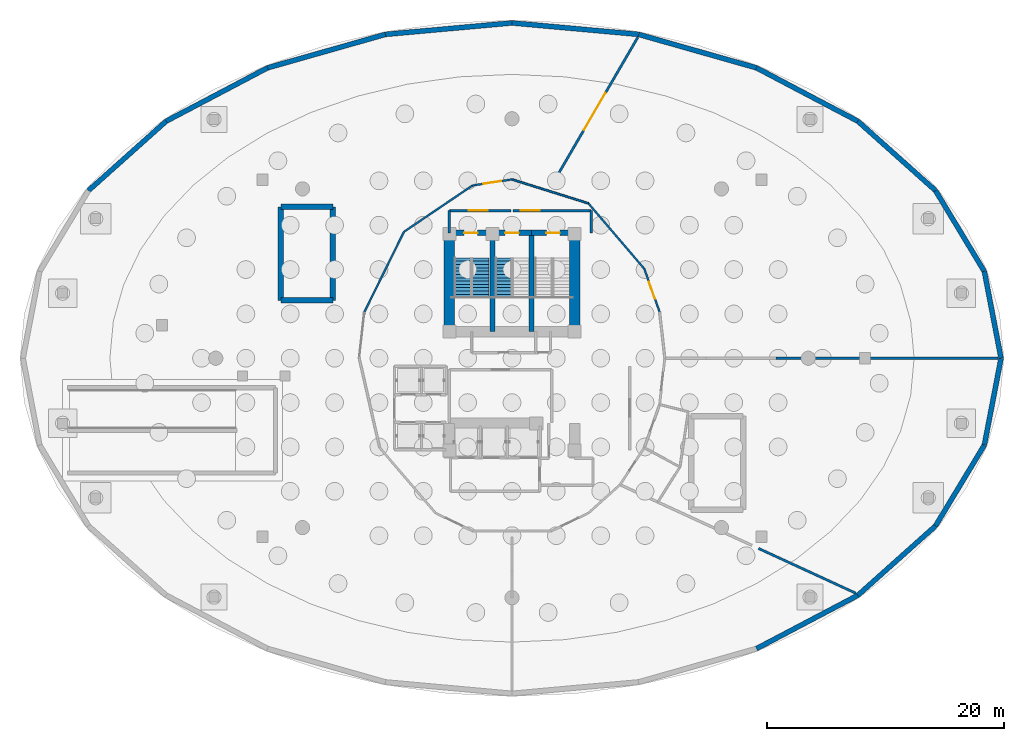
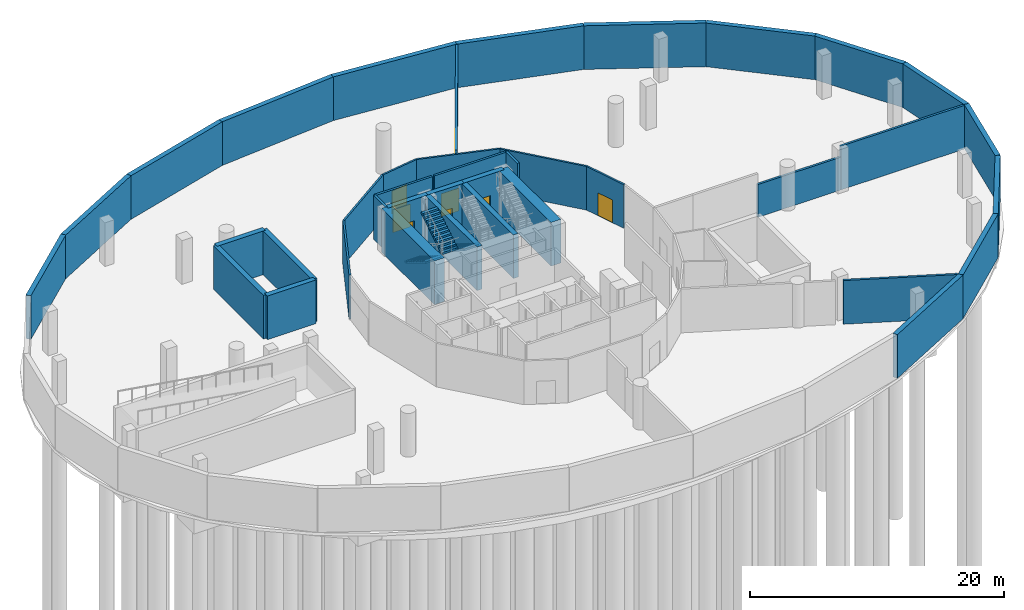
# One storey, part 5 of 9: 39 walls, 8 doors, 3 stair flights, 8 openings, 2 elements without a shape of their own.
"""IFC4 building model written with IfcOpenShell, lengths in metres."""

from ifc_helpers import new_model, si_unit, direction, frame, frame_2d, origin, place, context, subcontext, project, spatial, polyline, rectangle, outline, extrude, material, layer, layer_set, type_object, element, fill, aggregate, save


model = new_model("IFC4")

# Units and contexts
model_context = context("Model", 3, precision=1e-05, world=origin(), true_north=direction((0.0, 1.0)))
body_context = subcontext(model_context, "Body", "Model", "MODEL_VIEW")
ifc_project = project(units=[si_unit("LENGTHUNIT", "METRE"), si_unit("AREAUNIT", "SQUARE_METRE"), si_unit("VOLUMEUNIT", "CUBIC_METRE"), si_unit("PLANEANGLEUNIT", "RADIAN"), si_unit("MASSUNIT", "GRAM", prefix="KILO")], contexts=[model_context])

# Site, building, storey
site_placement = place(None, origin())
site = spatial("IfcSite", under=ifc_project, at=site_placement, CompositionType="ELEMENT")
building_placement = place(site_placement, origin())
building = spatial("IfcBuilding", under=site, at=building_placement, Name="Nuhasar Tower", CompositionType="ELEMENT")
storey_placement = place(building_placement, frame((0.0, 0.0, -9.0)))
storey = spatial("IfcBuildingStorey", under=building, at=storey_placement, Name="B2", CompositionType="ELEMENT", Elevation=-9.0)

# Wall, opening, door
ifc_material_1 = material(Name="Concrete C50/60", Category="concrete")
ifc_layer_1 = layer(ifc_material_1, 0.449951171875)
ifc_layer_set_1 = layer_set([ifc_layer_1], Name="Concrete C50/60")
wall_type_1 = type_object("IfcWallType", Name="WL-CORE-450", PredefinedType="SHEAR", material=ifc_layer_set_1)
wall_1_placement = place(storey_placement, frame((37.35009765625, 37.39990234375, 0.0), z_axis=(0.0, 0.0, 1.0), x_axis=(-1.0, 0.0, 0.0)))
wall_1 = element("IfcWall", 1, at=wall_1_placement, inside=storey, type_object=wall_type_1, Name="B2 Stairwell Shear Wall ST01-N", PredefinedType="SHEAR", context=body_context, shape_type="SweptSolid", body=[
    extrude(rectangle(XDim=3.650146484375, YDim=0.449951171875, at=frame_2d((1.8251953125, 0.0))), origin(), (0.0, 0.0, 1.0), 4.199951171875),
])
opening_1_placement = place(wall_1_placement, frame((1.25, 0.0, 0.0)))
opening_1 = element("IfcOpeningElement", 2, at=opening_1_placement, cuts=wall_1, Name="Opening DS-01", PredefinedType="OPENING", context=body_context, shape_type="SweptSolid", body=[
    extrude(rectangle(XDim=1.14990234375, YDim=2.14990234375, at=frame_2d((0.574951171875, 1.074951171875))), frame((0.0, 0.23486328125, 0.0), z_axis=(0.0, -1.0, 0.0), x_axis=(1.0, 0.0, 0.0)), (0.0, 0.0, 1.0), 0.469970703125),
])
ifc_material_2 = material(Name="Steel S355", Category="steel")
door_type_1 = type_object("IfcDoorType", Name="DR-STAIR-FD120-1150", OperationType="NOTDEFINED", PredefinedType="DOOR", material=ifc_material_2)
door_1_placement = place(opening_1_placement, origin())
door_1 = element("IfcDoor", 3, at=door_1_placement, inside=storey, type_object=door_type_1, Name="B2 Exit Stair ST-01 Door", OperationType="SINGLE_SWING_RIGHT", OverallHeight=2.14990234375, OverallWidth=1.14990234375, PredefinedType="DOOR", context=body_context, shape_type="SweptSolid", body=[
    extrude(rectangle(XDim=1.14990234375, YDim=2.14990234375, at=frame_2d((0.574951171875, 1.074951171875))), frame((0.0, 0.02490234375, 0.0), z_axis=(0.0, -1.0, 0.0), x_axis=(1.0, 0.0, 0.0)), (0.0, 0.0, 1.0), 0.050048828125),
])
fill(opening_1, door_1)

# Wall
wall_2_placement = place(storey_placement, frame((37.35009765625, 29.050048828125, 0.0), z_axis=(0.0, 0.0, 1.0), x_axis=(0.0, 1.0, 0.0)))
element("IfcWall", 4, at=wall_2_placement, inside=storey, type_object=wall_type_1, Name="B2 Stairwell Shear Wall ST01-E", PredefinedType="SHEAR", context=body_context, shape_type="SweptSolid", body=[
    extrude(rectangle(XDim=8.349853515625, YDim=0.449951171875, at=frame_2d((4.1748046875, 0.0))), origin(), (0.0, 0.0, 1.0), 4.199951171875),
])

# Wall, opening, door
wall_3_placement = place(storey_placement, frame((40.64990234375, 37.39990234375, 0.0), z_axis=(0.0, 0.0, 1.0), x_axis=(-1.0, 0.0, 0.0)))
wall_3 = element("IfcWall", 5, at=wall_3_placement, inside=storey, type_object=wall_type_1, Name="B2 Stairwell Shear Wall ST03-N", PredefinedType="SHEAR", context=body_context, shape_type="SweptSolid", body=[
    extrude(rectangle(XDim=3.2998046875, YDim=0.449951171875, at=frame_2d((1.64990234375, 0.0))), origin(), (0.0, 0.0, 1.0), 4.199951171875),
])
opening_2_placement = place(wall_3_placement, frame((1.074951171875, 0.0, 0.0)))
opening_2 = element("IfcOpeningElement", 6, at=opening_2_placement, cuts=wall_3, Name="Opening DS-01", PredefinedType="OPENING", context=body_context, shape_type="SweptSolid", body=[
    extrude(rectangle(XDim=1.14990234375, YDim=2.14990234375, at=frame_2d((0.574951171875, 1.074951171875))), frame((0.0, 0.23486328125, 0.0), z_axis=(0.0, -1.0, 0.0), x_axis=(1.0, 0.0, 0.0)), (0.0, 0.0, 1.0), 0.469970703125),
])
door_2_placement = place(opening_2_placement, origin())
door_2 = element("IfcDoor", 7, at=door_2_placement, inside=storey, type_object=door_type_1, Name="B2 Exit Stair ST-03 Door", OperationType="SINGLE_SWING_RIGHT", OverallHeight=2.14990234375, OverallWidth=1.14990234375, PredefinedType="DOOR", context=body_context, shape_type="SweptSolid", body=[
    extrude(rectangle(XDim=1.14990234375, YDim=2.14990234375, at=frame_2d((0.574951171875, 1.074951171875))), frame((0.0, 0.02490234375, 0.0), z_axis=(0.0, -1.0, 0.0), x_axis=(1.0, 0.0, 0.0)), (0.0, 0.0, 1.0), 0.050048828125),
])
fill(opening_2, door_2)

# Wall
wall_4_placement = place(storey_placement, frame((40.64990234375, 29.050048828125, 0.0), z_axis=(0.0, 0.0, 1.0), x_axis=(0.0, 1.0, 0.0)))
element("IfcWall", 8, at=wall_4_placement, inside=storey, type_object=wall_type_1, Name="B2 Stairwell Shear Wall ST03-E", PredefinedType="SHEAR", context=body_context, shape_type="SweptSolid", body=[
    extrude(rectangle(XDim=8.349853515625, YDim=0.449951171875, at=frame_2d((4.1748046875, 0.0))), origin(), (0.0, 0.0, 1.0), 4.199951171875),
])

# Wall, opening, door
wall_5_placement = place(storey_placement, frame((44.300048828125, 37.39990234375, 0.0), z_axis=(0.0, 0.0, 1.0), x_axis=(-1.0, 0.0, 0.0)))
wall_5 = element("IfcWall", 9, at=wall_5_placement, inside=storey, type_object=wall_type_1, Name="B2 Stairwell Shear Wall ST02-N", PredefinedType="SHEAR", context=body_context, shape_type="SweptSolid", body=[
    extrude(rectangle(XDim=3.650146484375, YDim=0.449951171875, at=frame_2d((1.8251953125, 0.0))), origin(), (0.0, 0.0, 1.0), 4.199951171875),
])
opening_3_placement = place(wall_5_placement, frame((1.25, 0.0, 0.0)))
opening_3 = element("IfcOpeningElement", 10, at=opening_3_placement, cuts=wall_5, Name="Opening DS-01", PredefinedType="OPENING", context=body_context, shape_type="SweptSolid", body=[
    extrude(rectangle(XDim=1.14990234375, YDim=2.14990234375, at=frame_2d((0.574951171875, 1.074951171875))), frame((0.0, 0.23486328125, 0.0), z_axis=(0.0, -1.0, 0.0), x_axis=(1.0, 0.0, 0.0)), (0.0, 0.0, 1.0), 0.469970703125),
])
door_3_placement = place(opening_3_placement, origin())
door_3 = element("IfcDoor", 11, at=door_3_placement, inside=storey, type_object=door_type_1, Name="B2 Exit Stair ST-02 Door", OperationType="SINGLE_SWING_LEFT", OverallHeight=2.14990234375, OverallWidth=1.14990234375, PredefinedType="DOOR", context=body_context, shape_type="SweptSolid", body=[
    extrude(rectangle(XDim=1.14990234375, YDim=2.14990234375, at=frame_2d((0.574951171875, 1.074951171875))), frame((0.0, 0.02490234375, 0.0), z_axis=(0.0, -1.0, 0.0), x_axis=(1.0, 0.0, 0.0)), (0.0, 0.0, 1.0), 0.050048828125),
])
fill(opening_3, door_3)

# Walls
for number, where, z_axis, x_axis, name in (
    (12, (19.449951171875, 31.699951171875, 0.0), (0.0, 0.0, 1.0), (1.0, 0.0, 0.0), "B2 Stairwell Shear Wall ST-04-S"),
    (13, (19.449951171875, 39.60009765625, 0.0), (0.0, 0.0, 1.0), (1.0, 0.0, 0.0), "B2 Stairwell Shear Wall ST-04-N"),
):
    element("IfcWall", number, at=place(storey_placement, frame(where, z_axis=z_axis, x_axis=x_axis)), inside=storey, type_object=wall_type_1, Name=name, PredefinedType="SHEAR", context=body_context, shape_type="SweptSolid", body=[
        extrude(rectangle(XDim=4.400146484375, YDim=0.449951171875, at=frame_2d((2.2001953125, 0.0))), origin(), (0.0, 0.0, 1.0), 4.199951171875),
    ])
for number, where, z_axis, x_axis, name in (
    (14, (19.449951171875, 31.699951171875, 0.0), (0.0, 0.0, 1.0), (0.0, 1.0, 0.0), "B2 Stairwell Shear Wall ST-04-W"),
    (15, (23.85009765625, 31.699951171875, 0.0), (0.0, 0.0, 1.0), (0.0, 1.0, 0.0), "B2 Stairwell Shear Wall ST-04-E"),
):
    element("IfcWall", number, at=place(storey_placement, frame(where, z_axis=z_axis, x_axis=x_axis)), inside=storey, type_object=wall_type_1, Name=name, PredefinedType="SHEAR", context=body_context, shape_type="SweptSolid", body=[
        extrude(rectangle(XDim=7.900146484375, YDim=0.449951171875, at=frame_2d((3.9501953125, 0.0))), origin(), (0.0, 0.0, 1.0), 4.199951171875),
    ])
ifc_material_3 = material(Name="Concrete C80/95", Category="concrete")
ifc_layer_2 = layer(ifc_material_3, 0.89990234375)
ifc_layer_set_2 = layer_set([ifc_layer_2], Name="Concrete C80/95")
wall_type_2 = type_object("IfcWallType", Name="WL-CORE-900", PredefinedType="SHEAR", material=ifc_layer_set_2)
for number, where, z_axis, x_axis, name in (
    (16, (33.699951171875, 29.050048828125, 0.0), (0.0, 0.0, 1.0), (0.0, 1.0, 0.0), "B2 Core Shear Wall CW-NW CW-900"),
    (17, (44.300048828125, 29.050048828125, 0.0), (0.0, 0.0, 1.0), (0.0, 1.0, 0.0), "B2 Core Shear Wall CW-NE CW-900"),
):
    element("IfcWall", number, at=place(storey_placement, frame(where, z_axis=z_axis, x_axis=x_axis)), inside=storey, type_object=wall_type_2, Name=name, PredefinedType="SHEAR", context=body_context, shape_type="SweptSolid", body=[
        extrude(rectangle(XDim=8.349853515625, YDim=0.89990234375, at=frame_2d((4.1748046875, 0.0))), origin(), (0.0, 0.0, 1.0), 4.199951171875),
    ])

# Wall, opening, door
ifc_material_4 = material(Name="Gypsum Board", Category="gypsum")
ifc_layer_3 = layer(ifc_material_4, 0.159912109375)
ifc_layer_set_3 = layer_set([ifc_layer_3], Name="Gypsum Board")
wall_type_3 = type_object("IfcWallType", Name="WL-CORR-160", PredefinedType="PARTITIONING", material=ifc_layer_set_3)
wall_6_placement = place(storey_placement, frame((50.18896484375, 34.360107421875, 0.0), z_axis=(0.0, 0.0, 1.0), x_axis=(0.333684770033, -0.942684716248, 0.0)))
wall_6 = element("IfcWall", 18, at=wall_6_placement, inside=storey, type_object=wall_type_3, Name="B2 Interior Partition CORR-02", PredefinedType="PARTITIONING", context=body_context, shape_type="SweptSolid", body=[
    extrude(rectangle(XDim=3.868896484375, YDim=0.159912109375, at=frame_2d((1.9345703125, 0.0))), origin(), (0.0, 0.0, 1.0), 4.199951171875),
])
opening_4_placement = place(wall_6_placement, frame((1.18408203125, 0.0, 0.0)))
opening_4 = element("IfcOpeningElement", 19, at=opening_4_placement, cuts=wall_6, Name="Opening DP-01", PredefinedType="OPENING", context=body_context, shape_type="SweptSolid", body=[
    extrude(rectangle(XDim=1.5, YDim=2.199951171875, at=frame_2d((0.75, 1.10009765625))), frame((0.0, 0.08984375, 0.0), z_axis=(0.0, -1.0, 0.0), x_axis=(1.0, 0.0, 0.0)), (0.0, 0.0, 1.0), 0.179931640625),
])
door_type_2 = type_object("IfcDoorType", Name="DR-PLANT-FD120-1500", OperationType="DOUBLE_DOOR_SINGLE_SWING", PredefinedType="DOOR", material=ifc_material_2)
door_4_placement = place(opening_4_placement, origin())
door_4 = element("IfcDoor", 20, at=door_4_placement, inside=storey, type_object=door_type_2, Name="B2 East Parking Hall Door", OperationType="DOUBLE_DOOR_SINGLE_SWING", OverallHeight=2.199951171875, OverallWidth=1.5, PredefinedType="DOOR", context=body_context, shape_type="SweptSolid", body=[
    extrude(rectangle(XDim=1.5, YDim=2.199951171875, at=frame_2d((0.75, 1.10009765625))), frame((0.0, 0.02490234375, 0.0), z_axis=(0.0, -1.0, 0.0), x_axis=(1.0, 0.0, 0.0)), (0.0, 0.0, 1.0), 0.050048828125),
])
fill(opening_4, door_4)

# Walls
wall_7_placement = place(storey_placement, frame((50.18896484375, 34.360107421875, 0.0), z_axis=(0.0, 0.0, 1.0), x_axis=(-0.649652680018, 0.760231145998, 0.0)))
element("IfcWall", 21, at=wall_7_placement, inside=storey, type_object=wall_type_3, Name="B2 Interior Partition CORR-04", PredefinedType="PARTITIONING", context=body_context, shape_type="SweptSolid", body=[
    extrude(rectangle(XDim=7.279296875, YDim=0.159912109375, at=frame_2d((3.6396484375, 0.0))), origin(), (0.0, 0.0, 1.0), 4.199951171875),
])
wall_8_placement = place(storey_placement, frame((45.4599609375, 39.89404296875, 0.0), z_axis=(0.0, 0.0, 1.0), x_axis=(-0.95417919824, 0.29923578938, 0.0)))
element("IfcWall", 22, at=wall_8_placement, inside=storey, type_object=wall_type_3, Name="B2 Interior Partition CORR-08", PredefinedType="PARTITIONING", context=body_context, shape_type="SweptSolid", body=[
    extrude(rectangle(XDim=6.770263671875, YDim=0.159912109375, at=frame_2d((3.38525390625, 0.0))), origin(), (0.0, 0.0, 1.0), 4.199951171875),
])

# Wall, opening, door
wall_9_placement = place(storey_placement, frame((35.656005859375, 41.405029296875, 0.0), z_axis=(0.0, 0.0, 1.0), x_axis=(0.988352503177, 0.152181895977, 0.0)))
wall_9 = element("IfcWall", 23, at=wall_9_placement, inside=storey, type_object=wall_type_3, Name="B2 Interior Partition CORR-12", PredefinedType="PARTITIONING", context=body_context, shape_type="SweptSolid", body=[
    extrude(rectangle(XDim=3.38330078125, YDim=0.159912109375, at=frame_2d((1.691650390625, 0.0))), origin(), (0.0, 0.0, 1.0), 4.199951171875),
])
opening_5_placement = place(wall_9_placement, frame((0.94189453125, 0.0, 0.0)))
opening_5 = element("IfcOpeningElement", 24, at=opening_5_placement, cuts=wall_9, Name="Opening DP-01", PredefinedType="OPENING", context=body_context, shape_type="SweptSolid", body=[
    extrude(rectangle(XDim=1.5, YDim=2.199951171875, at=frame_2d((0.75, 1.10009765625))), frame((0.0, 0.08984375, 0.0), z_axis=(0.0, -1.0, 0.0), x_axis=(1.0, 0.0, 0.0)), (0.0, 0.0, 1.0), 0.179931640625),
])
door_5_placement = place(opening_5_placement, origin())
door_5 = element("IfcDoor", 25, at=door_5_placement, inside=storey, type_object=door_type_2, Name="B2 North Parking Aisle Door", OperationType="DOUBLE_DOOR_SINGLE_SWING", OverallHeight=2.199951171875, OverallWidth=1.5, PredefinedType="DOOR", context=body_context, shape_type="SweptSolid", body=[
    extrude(rectangle(XDim=1.5, YDim=2.199951171875, at=frame_2d((0.75, 1.10009765625))), frame((0.0, 0.02490234375, 0.0), z_axis=(0.0, -1.0, 0.0), x_axis=(1.0, 0.0, 0.0)), (0.0, 0.0, 1.0), 0.050048828125),
])
fill(opening_5, door_5)

# Walls
wall_10_placement = place(storey_placement, frame((35.656005859375, 41.405029296875, 0.0), z_axis=(0.0, 0.0, 1.0), x_axis=(-0.828552185686, -0.559911846271, 0.0)))
element("IfcWall", 26, at=wall_10_placement, inside=storey, type_object=wall_type_3, Name="B2 Interior Partition CORR-14", PredefinedType="PARTITIONING", context=body_context, shape_type="SweptSolid", body=[
    extrude(rectangle(XDim=6.990478515625, YDim=0.159912109375, at=frame_2d((3.4951171875, 0.0))), origin(), (0.0, 0.0, 1.0), 4.199951171875),
])
wall_11_placement = place(storey_placement, frame((29.864013671875, 37.490966796875, 0.0), z_axis=(0.0, 0.0, 1.0), x_axis=(-0.44243947754, -0.896798365696, 0.0)))
element("IfcWall", 27, at=wall_11_placement, inside=storey, type_object=wall_type_3, Name="B2 Interior Partition CORR-18", PredefinedType="PARTITIONING", context=body_context, shape_type="SweptSolid", body=[
    extrude(rectangle(XDim=7.55810546875, YDim=0.159912109375, at=frame_2d((3.779052734375, 0.0))), origin(), (0.0, 0.0, 1.0), 4.199951171875),
])
ifc_layer_4 = layer(ifc_material_1, 0.419921875)
ifc_layer_set_4 = layer_set([ifc_layer_4], Name="Concrete C50/60")
wall_type_4 = type_object("IfcWallType", Name="WL-DIAPH-420", PredefinedType="SHEAR", material=ifc_layer_set_4)
wall_12_placement = place(storey_placement, frame((80.35009765625, 26.800048828125, 0.0), z_axis=(0.0, 0.0, 1.0), x_axis=(-0.188595316219, 0.982054889861, 0.0)))
element("IfcWall", 28, at=wall_12_placement, inside=storey, type_object=wall_type_4, Name="B2 Perimeter Diaphragm Retaining Wall 01 DW-420", PredefinedType="SHEAR", context=body_context, shape_type="SweptSolid", body=[
    extrude(rectangle(XDim=7.471923828125, YDim=0.419921875, at=frame_2d((3.73583984375, 0.0))), origin(), (0.0, 0.0, 1.0), 4.199951171875),
])
wall_13_placement = place(storey_placement, frame((78.94091796875, 34.137939453125, 0.0), z_axis=(0.0, 0.0, 1.0), x_axis=(-0.517122636798, 0.85591131463, 0.0)))
element("IfcWall", 29, at=wall_13_placement, inside=storey, type_object=wall_type_4, Name="B2 Perimeter Diaphragm Retaining Wall 02 DW-420", PredefinedType="SHEAR", context=body_context, shape_type="SweptSolid", body=[
    extrude(rectangle(XDim=7.98828125, YDim=0.419921875, at=frame_2d((3.994140625, 0.0))), origin(), (0.0, 0.0, 1.0), 4.199951171875),
])
wall_14_placement = place(storey_placement, frame((74.81005859375, 40.97509765625, 0.0), z_axis=(0.0, 0.0, 1.0), x_axis=(-0.745720826992, 0.666258544554, 0.0)))
element("IfcWall", 30, at=wall_14_placement, inside=storey, type_object=wall_type_4, Name="B2 Perimeter Diaphragm Retaining Wall 03 DW-420", PredefinedType="SHEAR", context=body_context, shape_type="SweptSolid", body=[
    extrude(rectangle(XDim=8.811767578125, YDim=0.419921875, at=frame_2d((4.40576171875, 0.0))), origin(), (0.0, 0.0, 1.0), 4.199951171875),
])
wall_15_placement = place(storey_placement, frame((68.239013671875, 46.845947265625, 0.0), z_axis=(0.0, 0.0, 1.0), x_axis=(-0.884971300821, 0.465645569852, 0.0)))
element("IfcWall", 31, at=wall_15_placement, inside=storey, type_object=wall_type_4, Name="B2 Perimeter Diaphragm Retaining Wall 04 DW-420", PredefinedType="SHEAR", context=body_context, shape_type="SweptSolid", body=[
    extrude(rectangle(XDim=9.677001953125, YDim=0.419921875, at=frame_2d((4.83837890625, 0.0))), origin(), (0.0, 0.0, 1.0), 4.199951171875),
])
wall_16_placement = place(storey_placement, frame((59.675048828125, 51.35205078125, 0.0), z_axis=(0.0, 0.0, 1.0), x_axis=(-0.961967006375, 0.273165661541, 0.0)))
element("IfcWall", 32, at=wall_16_placement, inside=storey, type_object=wall_type_4, Name="B2 Perimeter Diaphragm Retaining Wall 05 DW-420", PredefinedType="SHEAR", context=body_context, shape_type="SweptSolid", body=[
    extrude(rectangle(XDim=10.367431640625, YDim=0.419921875, at=frame_2d((5.18359375, 0.0))), origin(), (0.0, 0.0, 1.0), 4.199951171875),
])
for number, where, z_axis, x_axis, name in (
    (33, (49.701904296875, 54.18408203125, 0.0), (0.0, 0.0, 1.0), (-0.995952400538, 0.089882233296, 0.0), "B2 Perimeter Diaphragm Retaining Wall 06 DW-420"),
    (34, (39.0, 55.14990234375, 0.0), (0.0, 0.0, 1.0), (-0.995952400538, -0.089882233296, 0.0), "B2 Perimeter Diaphragm Retaining Wall 07 DW-420"),
):
    element("IfcWall", number, at=place(storey_placement, frame(where, z_axis=z_axis, x_axis=x_axis)), inside=storey, type_object=wall_type_4, Name=name, PredefinedType="SHEAR", context=body_context, shape_type="SweptSolid", body=[
        extrude(rectangle(XDim=10.745361328125, YDim=0.419921875, at=frame_2d((5.37255859375, 0.0))), origin(), (0.0, 0.0, 1.0), 4.199951171875),
    ])
wall_17_placement = place(storey_placement, frame((28.298095703125, 54.18408203125, 0.0), z_axis=(0.0, 0.0, 1.0), x_axis=(-0.961967006375, -0.273165661541, 0.0)))
element("IfcWall", 35, at=wall_17_placement, inside=storey, type_object=wall_type_4, Name="B2 Perimeter Diaphragm Retaining Wall 08 DW-420", PredefinedType="SHEAR", context=body_context, shape_type="SweptSolid", body=[
    extrude(rectangle(XDim=10.367431640625, YDim=0.419921875, at=frame_2d((5.18359375, 0.0))), origin(), (0.0, 0.0, 1.0), 4.199951171875),
])
wall_18_placement = place(storey_placement, frame((18.324951171875, 51.35205078125, 0.0), z_axis=(0.0, 0.0, 1.0), x_axis=(-0.884971300821, -0.465645569852, 0.0)))
element("IfcWall", 36, at=wall_18_placement, inside=storey, type_object=wall_type_4, Name="B2 Perimeter Diaphragm Retaining Wall 09 DW-420", PredefinedType="SHEAR", context=body_context, shape_type="SweptSolid", body=[
    extrude(rectangle(XDim=9.677001953125, YDim=0.419921875, at=frame_2d((4.83837890625, 0.0))), origin(), (0.0, 0.0, 1.0), 4.199951171875),
])
wall_19_placement = place(storey_placement, frame((9.760986328125, 46.845947265625, 0.0), z_axis=(0.0, 0.0, 1.0), x_axis=(-0.745720826992, -0.666258544554, 0.0)))
element("IfcWall", 37, at=wall_19_placement, inside=storey, type_object=wall_type_4, Name="B2 Perimeter Diaphragm Retaining Wall 10 DW-420", PredefinedType="SHEAR", context=body_context, shape_type="SweptSolid", body=[
    extrude(rectangle(XDim=8.811767578125, YDim=0.419921875, at=frame_2d((4.40576171875, 0.0))), origin(), (0.0, 0.0, 1.0), 4.199951171875),
])
wall_20_placement = place(storey_placement, frame((59.675048828125, 2.248046875, 0.0), z_axis=(0.0, 0.0, 1.0), x_axis=(0.884981697028, 0.46562581106, 0.0)))
element("IfcWall", 38, at=wall_20_placement, inside=storey, type_object=wall_type_4, Name="B2 Perimeter Diaphragm Retaining Wall 21 DW-420", PredefinedType="SHEAR", context=body_context, shape_type="SweptSolid", body=[
    extrude(rectangle(XDim=9.677001953125, YDim=0.419921875, at=frame_2d((4.83837890625, 0.0))), origin(), (0.0, 0.0, 1.0), 4.199951171875),
])
wall_21_placement = place(storey_placement, frame((68.239013671875, 6.75390625, 0.0), z_axis=(0.0, 0.0, 1.0), x_axis=(0.745707061302, 0.666273951707, 0.0)))
element("IfcWall", 39, at=wall_21_placement, inside=storey, type_object=wall_type_4, Name="B2 Perimeter Diaphragm Retaining Wall 22 DW-420", PredefinedType="SHEAR", context=body_context, shape_type="SweptSolid", body=[
    extrude(rectangle(XDim=8.811767578125, YDim=0.419921875, at=frame_2d((4.40576171875, 0.0))), origin(), (0.0, 0.0, 1.0), 4.199951171875),
])
wall_22_placement = place(storey_placement, frame((74.81005859375, 12.625, 0.0), z_axis=(0.0, 0.0, 1.0), x_axis=(0.517136164524, 0.855903141332, 0.0)))
element("IfcWall", 40, at=wall_22_placement, inside=storey, type_object=wall_type_4, Name="B2 Perimeter Diaphragm Retaining Wall 23 DW-420", PredefinedType="SHEAR", context=body_context, shape_type="SweptSolid", body=[
    extrude(rectangle(XDim=7.988037109375, YDim=0.419921875, at=frame_2d((3.994140625, 0.0))), origin(), (0.0, 0.0, 1.0), 4.199951171875),
])
wall_23_placement = place(storey_placement, frame((78.94091796875, 19.4619140625, 0.0), z_axis=(0.0, 0.0, 1.0), x_axis=(0.188589264795, 0.982056051966, 0.0)))
element("IfcWall", 41, at=wall_23_placement, inside=storey, type_object=wall_type_4, Name="B2 Perimeter Diaphragm Retaining Wall 24 DW-420", PredefinedType="SHEAR", context=body_context, shape_type="SweptSolid", body=[
    extrude(rectangle(XDim=7.47216796875, YDim=0.419921875, at=frame_2d((3.736083984375, 0.0))), origin(), (0.0, 0.0, 1.0), 4.199951171875),
])
ifc_material_5 = material(Name="Concrete C45/55", Category="concrete")
ifc_layer_5 = layer(ifc_material_5, 0.199951171875)
ifc_layer_set_5 = layer_set([ifc_layer_5], Name="Concrete C45/55")
wall_type_5 = type_object("IfcWallType", Name="WL-LOBBY-200", PredefinedType="SOLIDWALL", material=ifc_layer_set_5)
for number, where, z_axis, x_axis, name in (
    (42, (33.699951171875, 37.39990234375, 0.0), (0.0, 0.0, 1.0), (0.0, 1.0, 0.0), "B2 Interior Partition NSL-W"),
    (43, (45.699951171875, 37.39990234375, 0.0), (0.0, 0.0, 1.0), (0.0, 1.0, 0.0), "B2 Interior Partition NSL-E"),
):
    element("IfcWall", number, at=place(storey_placement, frame(where, z_axis=z_axis, x_axis=x_axis)), inside=storey, type_object=wall_type_5, Name=name, PredefinedType="SOLIDWALL", context=body_context, shape_type="SweptSolid", body=[
        extrude(rectangle(XDim=1.880126953125, YDim=0.199951171875, at=frame_2d((0.93994140625, 0.0))), origin(), (0.0, 0.0, 1.0), 4.199951171875),
    ])

# Wall, opening, door
wall_24_placement = place(storey_placement, frame((38.89990234375, 39.280029296875, 0.0), z_axis=(0.0, 0.0, 1.0), x_axis=(-1.0, 0.0, 0.0)))
wall_24 = element("IfcWall", 44, at=wall_24_placement, inside=storey, type_object=wall_type_5, Name="B2 Interior Partition NSL-N1", PredefinedType="SOLIDWALL", context=body_context, shape_type="SweptSolid", body=[
    extrude(rectangle(XDim=5.199951171875, YDim=0.199951171875, at=frame_2d((2.60009765625, 0.0))), origin(), (0.0, 0.0, 1.0), 4.199951171875),
])
opening_6_placement = place(wall_24_placement, frame((1.949951171875, 0.0, 0.0)))
opening_6 = element("IfcOpeningElement", 45, at=opening_6_placement, cuts=wall_24, Name="Opening DC-01", PredefinedType="OPENING", context=body_context, shape_type="SweptSolid", body=[
    extrude(rectangle(XDim=1.60009765625, YDim=2.199951171875, at=frame_2d((0.800048828125, 1.10009765625))), frame((0.0, 0.10986328125, 0.0), z_axis=(0.0, -1.0, 0.0), x_axis=(1.0, 0.0, 0.0)), (0.0, 0.0, 1.0), 0.219970703125),
])
door_type_3 = type_object("IfcDoorType", Name="DR-CORR-FD60-1600", OperationType="DOUBLE_DOOR_SINGLE_SWING", PredefinedType="DOOR", material=ifc_material_2)
door_6_placement = place(opening_6_placement, origin())
door_6 = element("IfcDoor", 46, at=door_6_placement, inside=storey, type_object=door_type_3, Name="B2 North Stair Lobby West Door", OperationType="DOUBLE_DOOR_SINGLE_SWING", OverallHeight=2.199951171875, OverallWidth=1.60009765625, PredefinedType="DOOR", context=body_context, shape_type="SweptSolid", body=[
    extrude(rectangle(XDim=1.60009765625, YDim=2.199951171875, at=frame_2d((0.800048828125, 1.10009765625))), frame((0.0, 0.02490234375, 0.0), z_axis=(0.0, -1.0, 0.0), x_axis=(1.0, 0.0, 0.0)), (0.0, 0.0, 1.0), 0.050048828125),
])
fill(opening_6, door_6)

wall_25_placement = place(storey_placement, frame((45.699951171875, 39.280029296875, 0.0), z_axis=(0.0, 0.0, 1.0), x_axis=(-1.0, 0.0, 0.0)))
wall_25 = element("IfcWall", 47, at=wall_25_placement, inside=storey, type_object=wall_type_5, Name="B2 Interior Partition NSL-N2", PredefinedType="SOLIDWALL", context=body_context, shape_type="SweptSolid", body=[
    extrude(rectangle(XDim=6.599853515625, YDim=0.199951171875, at=frame_2d((3.2998046875, 0.0))), origin(), (0.0, 0.0, 1.0), 4.199951171875),
])
opening_7_placement = place(wall_25_placement, frame((4.35009765625, 0.0, 0.0)))
opening_7 = element("IfcOpeningElement", 48, at=opening_7_placement, cuts=wall_25, Name="Opening DC-01", PredefinedType="OPENING", context=body_context, shape_type="SweptSolid", body=[
    extrude(rectangle(XDim=1.60009765625, YDim=2.199951171875, at=frame_2d((0.800048828125, 1.10009765625))), frame((0.0, 0.10986328125, 0.0), z_axis=(0.0, -1.0, 0.0), x_axis=(1.0, 0.0, 0.0)), (0.0, 0.0, 1.0), 0.219970703125),
])
door_7_placement = place(opening_7_placement, origin())
door_7 = element("IfcDoor", 49, at=door_7_placement, inside=storey, type_object=door_type_3, Name="B2 North Stair Lobby East Door", OperationType="DOUBLE_DOOR_SINGLE_SWING", OverallHeight=2.199951171875, OverallWidth=1.60009765625, PredefinedType="DOOR", context=body_context, shape_type="SweptSolid", body=[
    extrude(rectangle(XDim=1.60009765625, YDim=2.199951171875, at=frame_2d((0.800048828125, 1.10009765625))), frame((0.0, 0.02490234375, 0.0), z_axis=(0.0, -1.0, 0.0), x_axis=(1.0, 0.0, 0.0)), (0.0, 0.0, 1.0), 0.050048828125),
])
fill(opening_7, door_7)

# Walls
wall_26_placement = place(storey_placement, frame((61.31689453125, 26.800048828125, 0.0), z_axis=(0.0, 0.0, 1.0), x_axis=(1.0, 0.0, 0.0)))
element("IfcWall", 50, at=wall_26_placement, inside=storey, type_object=wall_type_5, Name="B2 Interior Partition BRAD-00-S2", PredefinedType="SOLIDWALL", context=body_context, shape_type="SweptSolid", body=[
    extrude(rectangle(XDim=7.533203125, YDim=0.199951171875, at=frame_2d((3.7666015625, 0.0))), origin(), (0.0, 0.0, 1.0), 3.159912109375),
])
wall_27_placement = place(storey_placement, frame((68.85009765625, 26.800048828125, 0.0), z_axis=(0.0, 0.0, 1.0), x_axis=(1.0, 0.0, 0.0)))
element("IfcWall", 51, at=wall_27_placement, inside=storey, type_object=wall_type_5, Name="B2 Interior Partition BRAD-00-S2", PredefinedType="SOLIDWALL", context=body_context, shape_type="SweptSolid", body=[
    extrude(rectangle(XDim=11.23486328125, YDim=0.199951171875, at=frame_2d((5.617431640625, 0.0))), origin(), (0.0, 0.0, 1.0), 4.199951171875),
])

# Wall, opening, door
wall_28_placement = place(storey_placement, frame((42.343994140625, 41.405029296875, 0.0), z_axis=(0.0, 0.0, 1.0), x_axis=(0.503097710949, 0.864229537355, 0.0)))
wall_28 = element("IfcWall", 52, at=wall_28_placement, inside=storey, type_object=wall_type_5, Name="B2 Interior Partition BRAD-10", PredefinedType="SOLIDWALL", context=body_context, shape_type="SweptSolid", body=[
    extrude(rectangle(XDim=14.490234375, YDim=0.199951171875, at=frame_2d((7.2451171875, 0.0))), origin(), (0.0, 0.0, 1.0), 4.199951171875),
])
opening_8_placement = place(wall_28_placement, frame((5.445068359375, 0.0, 0.0)))
opening_8 = element("IfcOpeningElement", 53, at=opening_8_placement, cuts=wall_28, Name="Opening DG-01", PredefinedType="OPENING", context=body_context, shape_type="SweptSolid", body=[
    extrude(rectangle(XDim=3.60009765625, YDim=2.39990234375, at=frame_2d((1.800048828125, 1.199951171875))), frame((0.0, 0.10986328125, 0.0), z_axis=(0.0, -1.0, 0.0), x_axis=(1.0, 0.0, 0.0)), (0.0, 0.0, 1.0), 0.219970703125),
])
door_type_4 = type_object("IfcDoorType", Name="DR-VEH-GATE-3600", OperationType="ROLLINGUP", PredefinedType="GATE", material=ifc_material_2)
door_8_placement = place(opening_8_placement, origin())
door_8 = element("IfcDoor", 54, at=door_8_placement, inside=storey, type_object=door_type_4, Name="B2 Parking Hall Vehicle Shutter", OperationType="ROLLINGUP", OverallHeight=2.39990234375, OverallWidth=3.60009765625, PredefinedType="GATE", context=body_context, shape_type="SweptSolid", body=[
    extrude(rectangle(XDim=3.60009765625, YDim=2.39990234375, at=frame_2d((1.800048828125, 1.199951171875))), frame((0.0, 0.02490234375, 0.0), z_axis=(0.0, -1.0, 0.0), x_axis=(1.0, 0.0, 0.0)), (0.0, 0.0, 1.0), 0.050048828125),
])
fill(opening_8, door_8)

# Wall
wall_29_placement = place(storey_placement, frame((59.841064453125, 10.719970703125, 0.0), z_axis=(0.0, 0.0, 1.0), x_axis=(0.90838663627, -0.41813122228, 0.0)))
element("IfcWall", 55, at=wall_29_placement, inside=storey, type_object=wall_type_5, Name="B2 Interior Partition BRAD-42-S2", PredefinedType="SOLIDWALL", context=body_context, shape_type="SweptSolid", body=[
    extrude(rectangle(XDim=9.037841796875, YDim=0.199951171875, at=frame_2d((4.51904296875, 0.0))), origin(), (0.0, 0.0, 1.0), 4.199951171875),
])

# Stair, stair flights
stair_type_1 = type_object("IfcStairType", Name="STR-ST-01-2F-26R-1731", PredefinedType="HALF_TURN_STAIR", material=ifc_material_5)
stair_1_placement = place(storey_placement, origin())
stair_1 = element("IfcStair", 56, at=stair_1_placement, inside=storey, type_object=stair_type_1, Name="B2 Exit Stair ST-01", PredefinedType="HALF_TURN_STAIR")
stair_flight_type_1 = type_object("IfcStairFlightType", Name="SFL-ST-01-13R-1731", PredefinedType="STRAIGHT", material=ifc_material_5)
stair_flight_1_placement = place(storey_placement, frame((34.830078125, 35.284912109375, 0.0), z_axis=(0.0, 0.0, 1.0), x_axis=(0.0, -1.0, 0.0)))
stair_flight_1 = element("IfcStairFlight", 57, at=stair_flight_1_placement, type_object=stair_flight_type_1, Name="ST-01 flight 1", NumberOfRisers=13, NumberOfTreads=12, PredefinedType="STRAIGHT", RiserHeight=0.173077, TreadLength=0.28, context=body_context, shape_type="SweptSolid", body=[
    extrude(outline(polyline([(0.0, 0.0), (0.0, 0.173095703125), (0.280029296875, 0.173095703125), (0.280029296875, 0.34619140625), (0.56005859375, 0.34619140625), (0.56005859375, 0.519287109375), (0.840087890625, 0.519287109375), (0.840087890625, 0.6923828125), (1.1201171875, 0.6923828125), (1.1201171875, 0.865478515625), (1.39990234375, 0.865478515625), (1.39990234375, 1.03857421875), (1.679931640625, 1.03857421875), (1.679931640625, 1.21142578125), (1.9599609375, 1.21142578125), (1.9599609375, 1.384521484375), (2.239990234375, 1.384521484375), (2.239990234375, 1.5576171875), (2.52001953125, 1.5576171875), (2.52001953125, 1.730712890625), (2.800048828125, 1.730712890625), (2.800048828125, 1.90380859375), (3.080078125, 1.90380859375), (3.080078125, 2.076904296875), (3.360107421875, 2.076904296875), (3.360107421875, 2.25), (3.360107421875, 1.888916015625), (0.30419921875, 0.0), (0.0, 0.0)])), frame((0.0, 0.7099609375, 0.0), z_axis=(0.0, -1.0, 0.0), x_axis=(1.0, 0.0, 0.0)), (0.0, 0.0, 1.0), 1.419921875),
])
stair_flight_2_placement = place(storey_placement, frame((36.35009765625, 31.925048828125, 2.25), z_axis=(0.0, 0.0, 1.0), x_axis=(0.0, 1.0, 0.0)))
stair_flight_2 = element("IfcStairFlight", 58, at=stair_flight_2_placement, type_object=stair_flight_type_1, Name="ST-01 flight 2", NumberOfRisers=13, NumberOfTreads=12, PredefinedType="STRAIGHT", RiserHeight=0.173077, TreadLength=0.28, context=body_context, shape_type="SweptSolid", body=[
    extrude(outline(polyline([(0.0, 0.0), (0.0, 0.173095703125), (0.280029296875, 0.173095703125), (0.280029296875, 0.34619140625), (0.56005859375, 0.34619140625), (0.56005859375, 0.519287109375), (0.840087890625, 0.519287109375), (0.840087890625, 0.6923828125), (1.1201171875, 0.6923828125), (1.1201171875, 0.865478515625), (1.39990234375, 0.865478515625), (1.39990234375, 1.03857421875), (1.679931640625, 1.03857421875), (1.679931640625, 1.21142578125), (1.9599609375, 1.21142578125), (1.9599609375, 1.384521484375), (2.239990234375, 1.384521484375), (2.239990234375, 1.5576171875), (2.52001953125, 1.5576171875), (2.52001953125, 1.730712890625), (2.800048828125, 1.730712890625), (2.800048828125, 1.90380859375), (3.080078125, 1.90380859375), (3.080078125, 2.076904296875), (3.360107421875, 2.076904296875), (3.360107421875, 2.25), (3.360107421875, 1.888916015625), (0.30419921875, 0.0), (0.0, 0.0)])), frame((0.0, 0.7099609375, 0.0), z_axis=(0.0, -1.0, 0.0), x_axis=(1.0, 0.0, 0.0)), (0.0, 0.0, 1.0), 1.419921875),
])
aggregate(stair_1, [stair_flight_1, stair_flight_2])

# Stair, stair flight
stair_type_2 = type_object("IfcStairType", Name="STR-ST-03-2F-26R-1731", PredefinedType="HALF_TURN_STAIR", material=ifc_material_5)
stair_2_placement = place(storey_placement, origin())
stair_2 = element("IfcStair", 59, at=stair_2_placement, inside=storey, type_object=stair_type_2, Name="B2 Exit Stair ST-03", PredefinedType="HALF_TURN_STAIR")
stair_flight_type_2 = type_object("IfcStairFlightType", Name="SFL-ST-03-13R-1731", PredefinedType="STRAIGHT", material=ifc_material_5)
stair_flight_3_placement = place(storey_placement, frame((38.280029296875, 35.284912109375, 0.0), z_axis=(0.0, 0.0, 1.0), x_axis=(0.0, -1.0, 0.0)))
stair_flight_3 = element("IfcStairFlight", 60, at=stair_flight_3_placement, type_object=stair_flight_type_2, Name="ST-03 flight 1", NumberOfRisers=13, NumberOfTreads=12, PredefinedType="STRAIGHT", RiserHeight=0.173077, TreadLength=0.28, context=body_context, shape_type="SweptSolid", body=[
    extrude(outline(polyline([(0.0, 0.0), (0.0, 0.173095703125), (0.280029296875, 0.173095703125), (0.280029296875, 0.34619140625), (0.56005859375, 0.34619140625), (0.56005859375, 0.519287109375), (0.840087890625, 0.519287109375), (0.840087890625, 0.6923828125), (1.1201171875, 0.6923828125), (1.1201171875, 0.865478515625), (1.39990234375, 0.865478515625), (1.39990234375, 1.03857421875), (1.679931640625, 1.03857421875), (1.679931640625, 1.21142578125), (1.9599609375, 1.21142578125), (1.9599609375, 1.384521484375), (2.239990234375, 1.384521484375), (2.239990234375, 1.5576171875), (2.52001953125, 1.5576171875), (2.52001953125, 1.730712890625), (2.800048828125, 1.730712890625), (2.800048828125, 1.90380859375), (3.080078125, 1.90380859375), (3.080078125, 2.076904296875), (3.360107421875, 2.076904296875), (3.360107421875, 2.25), (3.360107421875, 1.888916015625), (0.30419921875, 0.0), (0.0, 0.0)])), frame((0.0, 0.669921875, 0.0), z_axis=(0.0, -1.0, 0.0), x_axis=(1.0, 0.0, 0.0)), (0.0, 0.0, 1.0), 1.340087890625),
])
aggregate(stair_2, [stair_flight_3])

save(model, "model.ifc")
